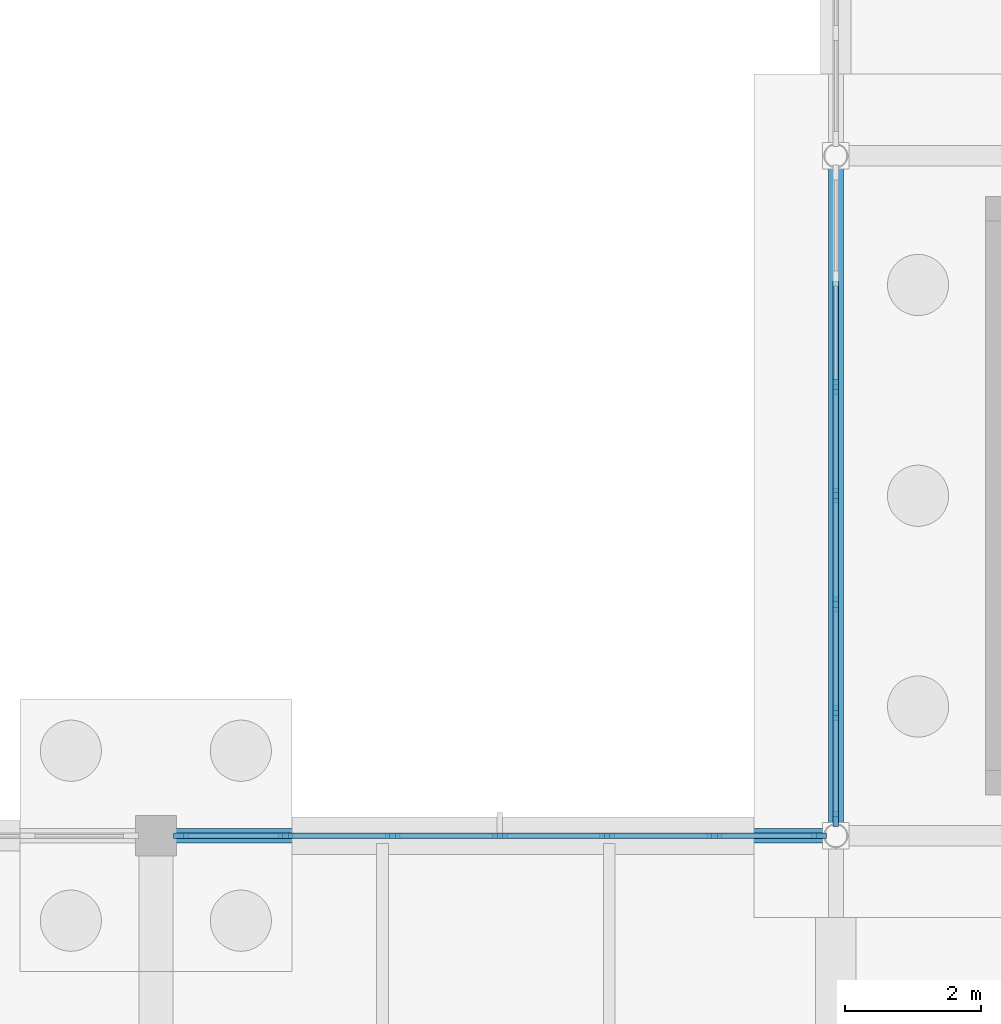
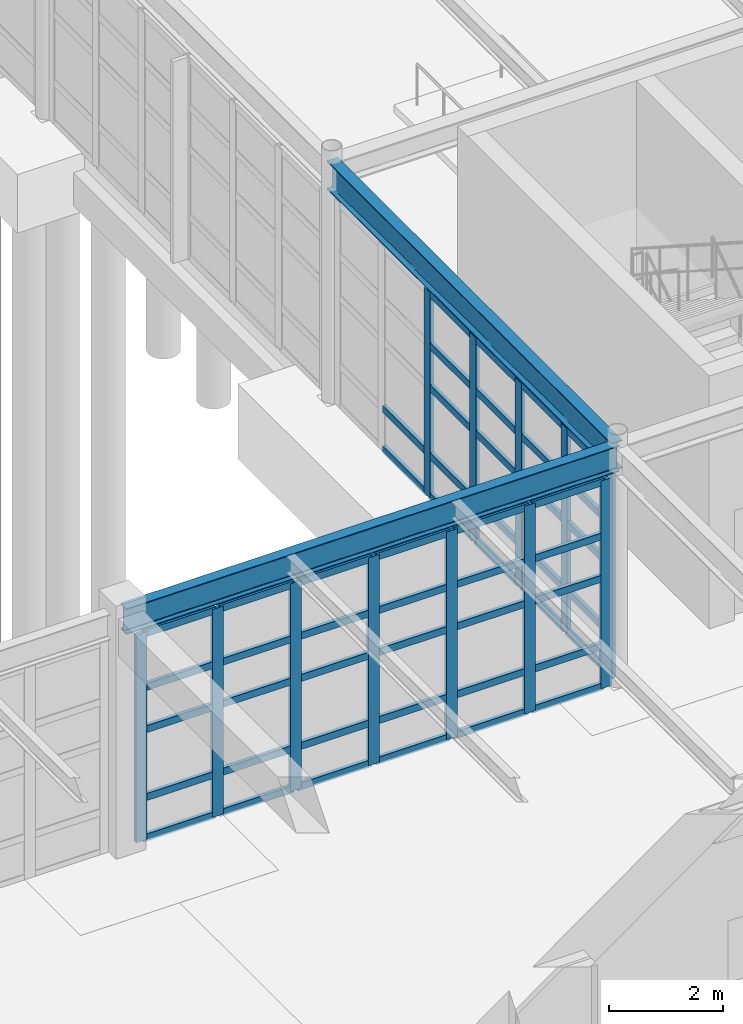
# One storey, part 51 of 145: 64 members, 2 beams, 2 elements without a shape of their own.
"""IFC4 building model written with IfcOpenShell, lengths in metres."""

from ifc_helpers import new_model, si_unit, direction, frame, origin, origin_2d, place, context, subcontext, project, spatial, rectangle, i_section, extrude, material, layer, layer_set, material_profile, profile_set, type_object, element, aggregate, save


model = new_model("IFC4")

# Units and contexts
model_context = context("Model", 3, precision=1e-05, world=origin(), true_north=direction((0.0, 1.0)))
body_context = subcontext(model_context, "Body", "Model", "MODEL_VIEW")
ifc_project = project(units=[si_unit("LENGTHUNIT", "METRE"), si_unit("AREAUNIT", "SQUARE_METRE"), si_unit("VOLUMEUNIT", "CUBIC_METRE"), si_unit("PLANEANGLEUNIT", "RADIAN"), si_unit("MASSUNIT", "GRAM", prefix="KILO"), si_unit("THERMODYNAMICTEMPERATUREUNIT", "KELVIN"), si_unit("POWERUNIT", "WATT")], contexts=[model_context])

# Site, building, storey
site_placement = place(None, origin())
site = spatial("IfcSite", under=ifc_project, at=site_placement, CompositionType="ELEMENT")
building_placement = place(site_placement, origin())
building = spatial("IfcBuilding", under=site, at=building_placement, Name="Korenveer Ferry Terminal", CompositionType="ELEMENT")
storey_placement = place(building_placement, origin())
storey = spatial("IfcBuildingStorey", under=building, at=storey_placement, Name="L00", CompositionType="ELEMENT", Elevation=0.0)

# Curtain wall, members
ifc_material_1 = material(Name="Unitised bronze-and-glass curtain wall", Category="glass")
ifc_layer_1 = layer(ifc_material_1, 0.219970703125)
ifc_layer_set_1 = layer_set([ifc_layer_1], Name="Unitised bronze-and-glass curtain wall")
curtain_wall_type_1 = type_object("IfcCurtainWallType", Name="ENV-CW-11", PredefinedType="USERDEFINED", material=ifc_layer_set_1)
curtain_wall_1_placement = place(storey_placement, frame((30.330078125, 80.0, 0.0)))
curtain_wall_1 = element("IfcCurtainWall", 1, at=curtain_wall_1_placement, inside=storey, type_object=curtain_wall_type_1, Name="Lancet curtain wall CWX-L00-X30-40-Y80-80", ObjectType="UNITISED CURTAIN WALL", PredefinedType="USERDEFINED")
ifc_material_2 = material(Name="Anodised bronze aluminium", Category="aluminium")
ifc_material_profile_1 = material_profile(ifc_material_2, rectangle(XDim=0.074951171875, YDim=0.219970703125, at=origin_2d()), Name="ALU 75x220")
ifc_profile_set_1 = profile_set([ifc_material_profile_1], Name="Anodised bronze aluminium")
member_type_1 = type_object("IfcMemberType", Name="ENV-CWM-75X220", PredefinedType="MULLION", material=ifc_profile_set_1)
member_1_placement = place(storey_placement, frame((30.367431640625, 80.0, 0.0), z_axis=(0.0, 0.0, 1.0), x_axis=(0.0, 1.0, 0.0)))
member_1 = element("IfcMember", 2, at=member_1_placement, type_object=member_type_1, Name="CW-11 mullion 1", PredefinedType="MULLION", context=body_context, shape_type="SweptSolid", body=[
    extrude(rectangle(XDim=0.074951171875, YDim=0.219970703125, at=origin_2d()), origin(), (0.0, 0.0, 1.0), 4.43994140625),
])
member_2_placement = place(storey_placement, frame((31.906982421875, 80.0, 0.0), z_axis=(0.0, 0.0, 1.0), x_axis=(0.0, 1.0, 0.0)))
member_2 = element("IfcMember", 3, at=member_2_placement, type_object=member_type_1, Name="CW-11 mullion 2", PredefinedType="MULLION", context=body_context, shape_type="SweptSolid", body=[
    extrude(rectangle(XDim=0.074951171875, YDim=0.219970703125, at=origin_2d()), origin(), (0.0, 0.0, 1.0), 4.43994140625),
])
member_3_placement = place(storey_placement, frame((33.484130859375, 80.0, 0.0), z_axis=(0.0, 0.0, 1.0), x_axis=(0.0, 1.0, 0.0)))
member_3 = element("IfcMember", 4, at=member_3_placement, type_object=member_type_1, Name="CW-11 mullion 3", PredefinedType="MULLION", context=body_context, shape_type="SweptSolid", body=[
    extrude(rectangle(XDim=0.074951171875, YDim=0.219970703125, at=origin_2d()), origin(), (0.0, 0.0, 1.0), 4.43994140625),
])
member_4_placement = place(storey_placement, frame((35.06103515625, 80.0, 0.0), z_axis=(0.0, 0.0, 1.0), x_axis=(0.0, 1.0, 0.0)))
member_4 = element("IfcMember", 5, at=member_4_placement, type_object=member_type_1, Name="CW-11 mullion 4", PredefinedType="MULLION", context=body_context, shape_type="SweptSolid", body=[
    extrude(rectangle(XDim=0.074951171875, YDim=0.219970703125, at=origin_2d()), origin(), (0.0, 0.0, 1.0), 4.43994140625),
])
member_5_placement = place(storey_placement, frame((36.63818359375, 80.0, 0.0), z_axis=(0.0, 0.0, 1.0), x_axis=(0.0, 1.0, 0.0)))
member_5 = element("IfcMember", 6, at=member_5_placement, type_object=member_type_1, Name="CW-11 mullion 5", PredefinedType="MULLION", context=body_context, shape_type="SweptSolid", body=[
    extrude(rectangle(XDim=0.074951171875, YDim=0.219970703125, at=origin_2d()), origin(), (0.0, 0.0, 1.0), 4.43994140625),
])
member_6_placement = place(storey_placement, frame((38.215087890625, 80.0, 0.0), z_axis=(0.0, 0.0, 1.0), x_axis=(0.0, 1.0, 0.0)))
member_6 = element("IfcMember", 7, at=member_6_placement, type_object=member_type_1, Name="CW-11 mullion 6", PredefinedType="MULLION", context=body_context, shape_type="SweptSolid", body=[
    extrude(rectangle(XDim=0.074951171875, YDim=0.219970703125, at=origin_2d()), origin(), (0.0, 0.0, 1.0), 4.43994140625),
])
member_7_placement = place(storey_placement, frame((39.754638671875, 80.0, 0.0), z_axis=(0.0, 0.0, 1.0), x_axis=(0.0, 1.0, 0.0)))
member_7 = element("IfcMember", 8, at=member_7_placement, type_object=member_type_1, Name="CW-11 mullion 7", PredefinedType="MULLION", context=body_context, shape_type="SweptSolid", body=[
    extrude(rectangle(XDim=0.074951171875, YDim=0.219970703125, at=origin_2d()), origin(), (0.0, 0.0, 1.0), 4.43994140625),
])

ifc_layer_2 = layer(ifc_material_1, 0.219970703125)
ifc_layer_set_2 = layer_set([ifc_layer_2], Name="Unitised bronze-and-glass curtain wall")
curtain_wall_type_2 = type_object("IfcCurtainWallType", Name="ENV-CW-21", PredefinedType="USERDEFINED", material=ifc_layer_set_2)
curtain_wall_2_placement = place(storey_placement, frame((40.0, 80.207763671875, 0.0)))
curtain_wall_2 = element("IfcCurtainWall", 9, at=curtain_wall_2_placement, inside=storey, type_object=curtain_wall_type_2, Name="Lancet curtain wall CWX-L00-X40-40-Y80-90", ObjectType="UNITISED CURTAIN WALL", PredefinedType="USERDEFINED")
member_8_placement = place(storey_placement, frame((40.0, 80.245361328125, 0.0), z_axis=(0.0, 0.0, 1.0), x_axis=(-1.0, 0.0, 0.0)))
member_8 = element("IfcMember", 10, at=member_8_placement, type_object=member_type_1, Name="CW-21 mullion 1", PredefinedType="MULLION", context=body_context, shape_type="SweptSolid", body=[
    extrude(rectangle(XDim=0.074951171875, YDim=0.219970703125, at=origin_2d()), origin(), (0.0, 0.0, 1.0), 4.389892578125),
])
member_9_placement = place(storey_placement, frame((40.0, 81.80517578125, 0.0), z_axis=(0.0, 0.0, 1.0), x_axis=(-1.0, 0.0, 0.0)))
member_9 = element("IfcMember", 11, at=member_9_placement, type_object=member_type_1, Name="CW-21 mullion 2", PredefinedType="MULLION", context=body_context, shape_type="SweptSolid", body=[
    extrude(rectangle(XDim=0.074951171875, YDim=0.219970703125, at=origin_2d()), origin(), (0.0, 0.0, 1.0), 4.389892578125),
])
member_10_placement = place(storey_placement, frame((40.0, 83.402587890625, 0.0), z_axis=(0.0, 0.0, 1.0), x_axis=(-1.0, 0.0, 0.0)))
member_10 = element("IfcMember", 12, at=member_10_placement, type_object=member_type_1, Name="CW-21 mullion 3", PredefinedType="MULLION", context=body_context, shape_type="SweptSolid", body=[
    extrude(rectangle(XDim=0.074951171875, YDim=0.219970703125, at=origin_2d()), origin(), (0.0, 0.0, 1.0), 4.389892578125),
])
member_11_placement = place(storey_placement, frame((40.0, 85.0, 0.0), z_axis=(0.0, 0.0, 1.0), x_axis=(-1.0, 0.0, 0.0)))
member_11 = element("IfcMember", 13, at=member_11_placement, type_object=member_type_1, Name="CW-21 mullion 4", PredefinedType="MULLION", context=body_context, shape_type="SweptSolid", body=[
    extrude(rectangle(XDim=0.074951171875, YDim=0.219970703125, at=origin_2d()), origin(), (0.0, 0.0, 1.0), 4.389892578125),
])
member_12_placement = place(storey_placement, frame((40.0, 86.597412109375, 0.0), z_axis=(0.0, 0.0, 1.0), x_axis=(-1.0, 0.0, 0.0)))
member_12 = element("IfcMember", 14, at=member_12_placement, type_object=member_type_1, Name="CW-21 mullion 5", PredefinedType="MULLION", context=body_context, shape_type="SweptSolid", body=[
    extrude(rectangle(XDim=0.074951171875, YDim=0.219970703125, at=origin_2d()), origin(), (0.0, 0.0, 1.0), 4.389892578125),
])

# Member
ifc_material_profile_2 = material_profile(ifc_material_2, rectangle(XDim=0.074951171875, YDim=0.14990234375, at=origin_2d()), Name="ALU 75x150")
ifc_profile_set_2 = profile_set([ifc_material_profile_2], Name="Anodised bronze aluminium")
member_type_2 = type_object("IfcMemberType", Name="ENV-CWT-75X150", PredefinedType="USERDEFINED", material=ifc_profile_set_2)
member_13_placement = place(storey_placement, frame((30.405029296875, 80.0, 0.03759765625), z_axis=(1.0, 0.0, 0.0), x_axis=(0.0, 1.0, 0.0)))
member_13 = element("IfcMember", 15, at=member_13_placement, type_object=member_type_2, Name="CW-11 transom 1.1", ObjectType="TRANSOM", PredefinedType="USERDEFINED", context=body_context, shape_type="SweptSolid", body=[
    extrude(rectangle(XDim=0.074951171875, YDim=0.14990234375, at=origin_2d()), origin(), (0.0, 0.0, 1.0), 1.464599609375),
])

member_14_placement = place(storey_placement, frame((30.405029296875, 80.0, 0.89990234375), z_axis=(1.0, 0.0, 0.0), x_axis=(0.0, 1.0, 0.0)))
member_14 = element("IfcMember", 16, at=member_14_placement, type_object=member_type_2, Name="CW-11 transom 1.2", ObjectType="TRANSOM", PredefinedType="USERDEFINED", context=body_context, shape_type="SweptSolid", body=[
    extrude(rectangle(XDim=0.074951171875, YDim=0.14990234375, at=origin_2d()), origin(), (0.0, 0.0, 1.0), 1.464599609375),
])

member_15_placement = place(storey_placement, frame((30.405029296875, 80.0, 2.35009765625), z_axis=(1.0, 0.0, 0.0), x_axis=(0.0, 1.0, 0.0)))
member_15 = element("IfcMember", 17, at=member_15_placement, type_object=member_type_2, Name="CW-11 transom 1.3", ObjectType="TRANSOM", PredefinedType="USERDEFINED", context=body_context, shape_type="SweptSolid", body=[
    extrude(rectangle(XDim=0.074951171875, YDim=0.14990234375, at=origin_2d()), origin(), (0.0, 0.0, 1.0), 1.464599609375),
])

member_16_placement = place(storey_placement, frame((30.405029296875, 80.0, 3.25), z_axis=(1.0, 0.0, 0.0), x_axis=(0.0, 1.0, 0.0)))
member_16 = element("IfcMember", 18, at=member_16_placement, type_object=member_type_2, Name="CW-11 transom 1.4", ObjectType="TRANSOM", PredefinedType="USERDEFINED", context=body_context, shape_type="SweptSolid", body=[
    extrude(rectangle(XDim=0.074951171875, YDim=0.14990234375, at=origin_2d()), origin(), (0.0, 0.0, 1.0), 1.464599609375),
])

member_17_placement = place(storey_placement, frame((30.405029296875, 80.0, 4.402587890625), z_axis=(1.0, 0.0, 0.0), x_axis=(0.0, 1.0, 0.0)))
member_17 = element("IfcMember", 19, at=member_17_placement, type_object=member_type_2, Name="CW-11 transom 1.5", ObjectType="TRANSOM", PredefinedType="USERDEFINED", context=body_context, shape_type="SweptSolid", body=[
    extrude(rectangle(XDim=0.074951171875, YDim=0.14990234375, at=origin_2d()), origin(), (0.0, 0.0, 1.0), 1.464599609375),
])

member_18_placement = place(storey_placement, frame((31.944580078125, 80.0, 0.03759765625), z_axis=(1.0, 0.0, 0.0), x_axis=(0.0, 1.0, 0.0)))
member_18 = element("IfcMember", 20, at=member_18_placement, type_object=member_type_2, Name="CW-11 transom 2.1", ObjectType="TRANSOM", PredefinedType="USERDEFINED", context=body_context, shape_type="SweptSolid", body=[
    extrude(rectangle(XDim=0.074951171875, YDim=0.14990234375, at=origin_2d()), origin(), (0.0, 0.0, 1.0), 1.501953125),
])

member_19_placement = place(storey_placement, frame((31.944580078125, 80.0, 0.89990234375), z_axis=(1.0, 0.0, 0.0), x_axis=(0.0, 1.0, 0.0)))
member_19 = element("IfcMember", 21, at=member_19_placement, type_object=member_type_2, Name="CW-11 transom 2.2", ObjectType="TRANSOM", PredefinedType="USERDEFINED", context=body_context, shape_type="SweptSolid", body=[
    extrude(rectangle(XDim=0.074951171875, YDim=0.14990234375, at=origin_2d()), origin(), (0.0, 0.0, 1.0), 1.501953125),
])

member_20_placement = place(storey_placement, frame((31.944580078125, 80.0, 2.35009765625), z_axis=(1.0, 0.0, 0.0), x_axis=(0.0, 1.0, 0.0)))
member_20 = element("IfcMember", 22, at=member_20_placement, type_object=member_type_2, Name="CW-11 transom 2.3", ObjectType="TRANSOM", PredefinedType="USERDEFINED", context=body_context, shape_type="SweptSolid", body=[
    extrude(rectangle(XDim=0.074951171875, YDim=0.14990234375, at=origin_2d()), origin(), (0.0, 0.0, 1.0), 1.501953125),
])

member_21_placement = place(storey_placement, frame((31.944580078125, 80.0, 3.25), z_axis=(1.0, 0.0, 0.0), x_axis=(0.0, 1.0, 0.0)))
member_21 = element("IfcMember", 23, at=member_21_placement, type_object=member_type_2, Name="CW-11 transom 2.4", ObjectType="TRANSOM", PredefinedType="USERDEFINED", context=body_context, shape_type="SweptSolid", body=[
    extrude(rectangle(XDim=0.074951171875, YDim=0.14990234375, at=origin_2d()), origin(), (0.0, 0.0, 1.0), 1.501953125),
])

member_22_placement = place(storey_placement, frame((31.944580078125, 80.0, 4.402587890625), z_axis=(1.0, 0.0, 0.0), x_axis=(0.0, 1.0, 0.0)))
member_22 = element("IfcMember", 24, at=member_22_placement, type_object=member_type_2, Name="CW-11 transom 2.5", ObjectType="TRANSOM", PredefinedType="USERDEFINED", context=body_context, shape_type="SweptSolid", body=[
    extrude(rectangle(XDim=0.074951171875, YDim=0.14990234375, at=origin_2d()), origin(), (0.0, 0.0, 1.0), 1.501953125),
])

member_23_placement = place(storey_placement, frame((33.521484375, 80.0, 0.03759765625), z_axis=(1.0, 0.0, 0.0), x_axis=(0.0, 1.0, 0.0)))
member_23 = element("IfcMember", 25, at=member_23_placement, type_object=member_type_2, Name="CW-11 transom 3.1", ObjectType="TRANSOM", PredefinedType="USERDEFINED", context=body_context, shape_type="SweptSolid", body=[
    extrude(rectangle(XDim=0.074951171875, YDim=0.14990234375, at=origin_2d()), origin(), (0.0, 0.0, 1.0), 1.502197265625),
])

member_24_placement = place(storey_placement, frame((33.521484375, 80.0, 0.89990234375), z_axis=(1.0, 0.0, 0.0), x_axis=(0.0, 1.0, 0.0)))
member_24 = element("IfcMember", 26, at=member_24_placement, type_object=member_type_2, Name="CW-11 transom 3.2", ObjectType="TRANSOM", PredefinedType="USERDEFINED", context=body_context, shape_type="SweptSolid", body=[
    extrude(rectangle(XDim=0.074951171875, YDim=0.14990234375, at=origin_2d()), origin(), (0.0, 0.0, 1.0), 1.502197265625),
])

member_25_placement = place(storey_placement, frame((33.521484375, 80.0, 2.35009765625), z_axis=(1.0, 0.0, 0.0), x_axis=(0.0, 1.0, 0.0)))
member_25 = element("IfcMember", 27, at=member_25_placement, type_object=member_type_2, Name="CW-11 transom 3.3", ObjectType="TRANSOM", PredefinedType="USERDEFINED", context=body_context, shape_type="SweptSolid", body=[
    extrude(rectangle(XDim=0.074951171875, YDim=0.14990234375, at=origin_2d()), origin(), (0.0, 0.0, 1.0), 1.502197265625),
])

member_26_placement = place(storey_placement, frame((33.521484375, 80.0, 3.25), z_axis=(1.0, 0.0, 0.0), x_axis=(0.0, 1.0, 0.0)))
member_26 = element("IfcMember", 28, at=member_26_placement, type_object=member_type_2, Name="CW-11 transom 3.4", ObjectType="TRANSOM", PredefinedType="USERDEFINED", context=body_context, shape_type="SweptSolid", body=[
    extrude(rectangle(XDim=0.074951171875, YDim=0.14990234375, at=origin_2d()), origin(), (0.0, 0.0, 1.0), 1.502197265625),
])

member_27_placement = place(storey_placement, frame((33.521484375, 80.0, 4.402587890625), z_axis=(1.0, 0.0, 0.0), x_axis=(0.0, 1.0, 0.0)))
member_27 = element("IfcMember", 29, at=member_27_placement, type_object=member_type_2, Name="CW-11 transom 3.5", ObjectType="TRANSOM", PredefinedType="USERDEFINED", context=body_context, shape_type="SweptSolid", body=[
    extrude(rectangle(XDim=0.074951171875, YDim=0.14990234375, at=origin_2d()), origin(), (0.0, 0.0, 1.0), 1.502197265625),
])

member_28_placement = place(storey_placement, frame((35.0986328125, 80.0, 0.03759765625), z_axis=(1.0, 0.0, 0.0), x_axis=(0.0, 1.0, 0.0)))
member_28 = element("IfcMember", 30, at=member_28_placement, type_object=member_type_2, Name="CW-11 transom 4.1", ObjectType="TRANSOM", PredefinedType="USERDEFINED", context=body_context, shape_type="SweptSolid", body=[
    extrude(rectangle(XDim=0.074951171875, YDim=0.14990234375, at=origin_2d()), origin(), (0.0, 0.0, 1.0), 1.501953125),
])

member_29_placement = place(storey_placement, frame((35.0986328125, 80.0, 0.89990234375), z_axis=(1.0, 0.0, 0.0), x_axis=(0.0, 1.0, 0.0)))
member_29 = element("IfcMember", 31, at=member_29_placement, type_object=member_type_2, Name="CW-11 transom 4.2", ObjectType="TRANSOM", PredefinedType="USERDEFINED", context=body_context, shape_type="SweptSolid", body=[
    extrude(rectangle(XDim=0.074951171875, YDim=0.14990234375, at=origin_2d()), origin(), (0.0, 0.0, 1.0), 1.501953125),
])

member_30_placement = place(storey_placement, frame((35.0986328125, 80.0, 2.35009765625), z_axis=(1.0, 0.0, 0.0), x_axis=(0.0, 1.0, 0.0)))
member_30 = element("IfcMember", 32, at=member_30_placement, type_object=member_type_2, Name="CW-11 transom 4.3", ObjectType="TRANSOM", PredefinedType="USERDEFINED", context=body_context, shape_type="SweptSolid", body=[
    extrude(rectangle(XDim=0.074951171875, YDim=0.14990234375, at=origin_2d()), origin(), (0.0, 0.0, 1.0), 1.501953125),
])

member_31_placement = place(storey_placement, frame((35.0986328125, 80.0, 3.25), z_axis=(1.0, 0.0, 0.0), x_axis=(0.0, 1.0, 0.0)))
member_31 = element("IfcMember", 33, at=member_31_placement, type_object=member_type_2, Name="CW-11 transom 4.4", ObjectType="TRANSOM", PredefinedType="USERDEFINED", context=body_context, shape_type="SweptSolid", body=[
    extrude(rectangle(XDim=0.074951171875, YDim=0.14990234375, at=origin_2d()), origin(), (0.0, 0.0, 1.0), 1.501953125),
])

member_32_placement = place(storey_placement, frame((35.0986328125, 80.0, 4.402587890625), z_axis=(1.0, 0.0, 0.0), x_axis=(0.0, 1.0, 0.0)))
member_32 = element("IfcMember", 34, at=member_32_placement, type_object=member_type_2, Name="CW-11 transom 4.5", ObjectType="TRANSOM", PredefinedType="USERDEFINED", context=body_context, shape_type="SweptSolid", body=[
    extrude(rectangle(XDim=0.074951171875, YDim=0.14990234375, at=origin_2d()), origin(), (0.0, 0.0, 1.0), 1.501953125),
])

member_33_placement = place(storey_placement, frame((36.675537109375, 80.0, 0.03759765625), z_axis=(1.0, 0.0, 0.0), x_axis=(0.0, 1.0, 0.0)))
member_33 = element("IfcMember", 35, at=member_33_placement, type_object=member_type_2, Name="CW-11 transom 5.1", ObjectType="TRANSOM", PredefinedType="USERDEFINED", context=body_context, shape_type="SweptSolid", body=[
    extrude(rectangle(XDim=0.074951171875, YDim=0.14990234375, at=origin_2d()), origin(), (0.0, 0.0, 1.0), 1.502197265625),
])

member_34_placement = place(storey_placement, frame((36.675537109375, 80.0, 0.89990234375), z_axis=(1.0, 0.0, 0.0), x_axis=(0.0, 1.0, 0.0)))
member_34 = element("IfcMember", 36, at=member_34_placement, type_object=member_type_2, Name="CW-11 transom 5.2", ObjectType="TRANSOM", PredefinedType="USERDEFINED", context=body_context, shape_type="SweptSolid", body=[
    extrude(rectangle(XDim=0.074951171875, YDim=0.14990234375, at=origin_2d()), origin(), (0.0, 0.0, 1.0), 1.502197265625),
])

member_35_placement = place(storey_placement, frame((36.675537109375, 80.0, 2.35009765625), z_axis=(1.0, 0.0, 0.0), x_axis=(0.0, 1.0, 0.0)))
member_35 = element("IfcMember", 37, at=member_35_placement, type_object=member_type_2, Name="CW-11 transom 5.3", ObjectType="TRANSOM", PredefinedType="USERDEFINED", context=body_context, shape_type="SweptSolid", body=[
    extrude(rectangle(XDim=0.074951171875, YDim=0.14990234375, at=origin_2d()), origin(), (0.0, 0.0, 1.0), 1.502197265625),
])

member_36_placement = place(storey_placement, frame((36.675537109375, 80.0, 3.25), z_axis=(1.0, 0.0, 0.0), x_axis=(0.0, 1.0, 0.0)))
member_36 = element("IfcMember", 38, at=member_36_placement, type_object=member_type_2, Name="CW-11 transom 5.4", ObjectType="TRANSOM", PredefinedType="USERDEFINED", context=body_context, shape_type="SweptSolid", body=[
    extrude(rectangle(XDim=0.074951171875, YDim=0.14990234375, at=origin_2d()), origin(), (0.0, 0.0, 1.0), 1.502197265625),
])

member_37_placement = place(storey_placement, frame((36.675537109375, 80.0, 4.402587890625), z_axis=(1.0, 0.0, 0.0), x_axis=(0.0, 1.0, 0.0)))
member_37 = element("IfcMember", 39, at=member_37_placement, type_object=member_type_2, Name="CW-11 transom 5.5", ObjectType="TRANSOM", PredefinedType="USERDEFINED", context=body_context, shape_type="SweptSolid", body=[
    extrude(rectangle(XDim=0.074951171875, YDim=0.14990234375, at=origin_2d()), origin(), (0.0, 0.0, 1.0), 1.502197265625),
])

member_38_placement = place(storey_placement, frame((38.252685546875, 80.0, 0.03759765625), z_axis=(1.0, 0.0, 0.0), x_axis=(0.0, 1.0, 0.0)))
member_38 = element("IfcMember", 40, at=member_38_placement, type_object=member_type_2, Name="CW-11 transom 6.1", ObjectType="TRANSOM", PredefinedType="USERDEFINED", context=body_context, shape_type="SweptSolid", body=[
    extrude(rectangle(XDim=0.074951171875, YDim=0.14990234375, at=origin_2d()), origin(), (0.0, 0.0, 1.0), 1.464599609375),
])

member_39_placement = place(storey_placement, frame((38.252685546875, 80.0, 0.89990234375), z_axis=(1.0, 0.0, 0.0), x_axis=(0.0, 1.0, 0.0)))
member_39 = element("IfcMember", 41, at=member_39_placement, type_object=member_type_2, Name="CW-11 transom 6.2", ObjectType="TRANSOM", PredefinedType="USERDEFINED", context=body_context, shape_type="SweptSolid", body=[
    extrude(rectangle(XDim=0.074951171875, YDim=0.14990234375, at=origin_2d()), origin(), (0.0, 0.0, 1.0), 1.464599609375),
])

member_40_placement = place(storey_placement, frame((38.252685546875, 80.0, 2.35009765625), z_axis=(1.0, 0.0, 0.0), x_axis=(0.0, 1.0, 0.0)))
member_40 = element("IfcMember", 42, at=member_40_placement, type_object=member_type_2, Name="CW-11 transom 6.3", ObjectType="TRANSOM", PredefinedType="USERDEFINED", context=body_context, shape_type="SweptSolid", body=[
    extrude(rectangle(XDim=0.074951171875, YDim=0.14990234375, at=origin_2d()), origin(), (0.0, 0.0, 1.0), 1.464599609375),
])

member_41_placement = place(storey_placement, frame((38.252685546875, 80.0, 3.25), z_axis=(1.0, 0.0, 0.0), x_axis=(0.0, 1.0, 0.0)))
member_41 = element("IfcMember", 43, at=member_41_placement, type_object=member_type_2, Name="CW-11 transom 6.4", ObjectType="TRANSOM", PredefinedType="USERDEFINED", context=body_context, shape_type="SweptSolid", body=[
    extrude(rectangle(XDim=0.074951171875, YDim=0.14990234375, at=origin_2d()), origin(), (0.0, 0.0, 1.0), 1.464599609375),
])

member_42_placement = place(storey_placement, frame((38.252685546875, 80.0, 4.402587890625), z_axis=(1.0, 0.0, 0.0), x_axis=(0.0, 1.0, 0.0)))
member_42 = element("IfcMember", 44, at=member_42_placement, type_object=member_type_2, Name="CW-11 transom 6.5", ObjectType="TRANSOM", PredefinedType="USERDEFINED", context=body_context, shape_type="SweptSolid", body=[
    extrude(rectangle(XDim=0.074951171875, YDim=0.14990234375, at=origin_2d()), origin(), (0.0, 0.0, 1.0), 1.464599609375),
])

aggregate(curtain_wall_1, [member_1, member_2, member_3, member_4, member_5, member_6, member_7, member_13, member_14, member_15, member_16, member_17, member_18, member_19, member_20, member_21, member_22, member_23, member_24, member_25, member_26, member_27, member_28, member_29, member_30, member_31, member_32, member_33, member_34, member_35, member_36, member_37, member_38, member_39, member_40, member_41, member_42])

member_43_placement = place(storey_placement, frame((40.0, 80.28271484375, 0.03759765625), z_axis=(0.0, 1.0, 0.0), x_axis=(-1.0, 0.0, 0.0)))
member_43 = element("IfcMember", 45, at=member_43_placement, type_object=member_type_2, Name="CW-21 transom 1.1", ObjectType="TRANSOM", PredefinedType="USERDEFINED", context=body_context, shape_type="SweptSolid", body=[
    extrude(rectangle(XDim=0.074951171875, YDim=0.14990234375, at=origin_2d()), origin(), (0.0, 0.0, 1.0), 1.48486328125),
])

member_44_placement = place(storey_placement, frame((40.0, 80.28271484375, 0.89990234375), z_axis=(0.0, 1.0, 0.0), x_axis=(-1.0, 0.0, 0.0)))
member_44 = element("IfcMember", 46, at=member_44_placement, type_object=member_type_2, Name="CW-21 transom 1.2", ObjectType="TRANSOM", PredefinedType="USERDEFINED", context=body_context, shape_type="SweptSolid", body=[
    extrude(rectangle(XDim=0.074951171875, YDim=0.14990234375, at=origin_2d()), origin(), (0.0, 0.0, 1.0), 1.48486328125),
])

member_45_placement = place(storey_placement, frame((40.0, 80.28271484375, 2.35009765625), z_axis=(0.0, 1.0, 0.0), x_axis=(-1.0, 0.0, 0.0)))
member_45 = element("IfcMember", 47, at=member_45_placement, type_object=member_type_2, Name="CW-21 transom 1.3", ObjectType="TRANSOM", PredefinedType="USERDEFINED", context=body_context, shape_type="SweptSolid", body=[
    extrude(rectangle(XDim=0.074951171875, YDim=0.14990234375, at=origin_2d()), origin(), (0.0, 0.0, 1.0), 1.48486328125),
])

member_46_placement = place(storey_placement, frame((40.0, 80.28271484375, 3.25), z_axis=(0.0, 1.0, 0.0), x_axis=(-1.0, 0.0, 0.0)))
member_46 = element("IfcMember", 48, at=member_46_placement, type_object=member_type_2, Name="CW-21 transom 1.4", ObjectType="TRANSOM", PredefinedType="USERDEFINED", context=body_context, shape_type="SweptSolid", body=[
    extrude(rectangle(XDim=0.074951171875, YDim=0.14990234375, at=origin_2d()), origin(), (0.0, 0.0, 1.0), 1.48486328125),
])

member_47_placement = place(storey_placement, frame((40.0, 80.28271484375, 4.3525390625), z_axis=(0.0, 1.0, 0.0), x_axis=(-1.0, 0.0, 0.0)))
member_47 = element("IfcMember", 49, at=member_47_placement, type_object=member_type_2, Name="CW-21 transom 1.5", ObjectType="TRANSOM", PredefinedType="USERDEFINED", context=body_context, shape_type="SweptSolid", body=[
    extrude(rectangle(XDim=0.074951171875, YDim=0.14990234375, at=origin_2d()), origin(), (0.0, 0.0, 1.0), 1.48486328125),
])

member_48_placement = place(storey_placement, frame((40.0, 81.8427734375, 0.03759765625), z_axis=(0.0, 1.0, 0.0), x_axis=(-1.0, 0.0, 0.0)))
member_48 = element("IfcMember", 50, at=member_48_placement, type_object=member_type_2, Name="CW-21 transom 2.1", ObjectType="TRANSOM", PredefinedType="USERDEFINED", context=body_context, shape_type="SweptSolid", body=[
    extrude(rectangle(XDim=0.074951171875, YDim=0.14990234375, at=origin_2d()), origin(), (0.0, 0.0, 1.0), 1.522216796875),
])

member_49_placement = place(storey_placement, frame((40.0, 81.8427734375, 0.89990234375), z_axis=(0.0, 1.0, 0.0), x_axis=(-1.0, 0.0, 0.0)))
member_49 = element("IfcMember", 51, at=member_49_placement, type_object=member_type_2, Name="CW-21 transom 2.2", ObjectType="TRANSOM", PredefinedType="USERDEFINED", context=body_context, shape_type="SweptSolid", body=[
    extrude(rectangle(XDim=0.074951171875, YDim=0.14990234375, at=origin_2d()), origin(), (0.0, 0.0, 1.0), 1.522216796875),
])

member_50_placement = place(storey_placement, frame((40.0, 81.8427734375, 2.35009765625), z_axis=(0.0, 1.0, 0.0), x_axis=(-1.0, 0.0, 0.0)))
member_50 = element("IfcMember", 52, at=member_50_placement, type_object=member_type_2, Name="CW-21 transom 2.3", ObjectType="TRANSOM", PredefinedType="USERDEFINED", context=body_context, shape_type="SweptSolid", body=[
    extrude(rectangle(XDim=0.074951171875, YDim=0.14990234375, at=origin_2d()), origin(), (0.0, 0.0, 1.0), 1.522216796875),
])

member_51_placement = place(storey_placement, frame((40.0, 81.8427734375, 3.25), z_axis=(0.0, 1.0, 0.0), x_axis=(-1.0, 0.0, 0.0)))
member_51 = element("IfcMember", 53, at=member_51_placement, type_object=member_type_2, Name="CW-21 transom 2.4", ObjectType="TRANSOM", PredefinedType="USERDEFINED", context=body_context, shape_type="SweptSolid", body=[
    extrude(rectangle(XDim=0.074951171875, YDim=0.14990234375, at=origin_2d()), origin(), (0.0, 0.0, 1.0), 1.522216796875),
])

member_52_placement = place(storey_placement, frame((40.0, 81.8427734375, 4.3525390625), z_axis=(0.0, 1.0, 0.0), x_axis=(-1.0, 0.0, 0.0)))
member_52 = element("IfcMember", 54, at=member_52_placement, type_object=member_type_2, Name="CW-21 transom 2.5", ObjectType="TRANSOM", PredefinedType="USERDEFINED", context=body_context, shape_type="SweptSolid", body=[
    extrude(rectangle(XDim=0.074951171875, YDim=0.14990234375, at=origin_2d()), origin(), (0.0, 0.0, 1.0), 1.522216796875),
])

member_53_placement = place(storey_placement, frame((40.0, 83.440185546875, 0.03759765625), z_axis=(0.0, 1.0, 0.0), x_axis=(-1.0, 0.0, 0.0)))
member_53 = element("IfcMember", 55, at=member_53_placement, type_object=member_type_2, Name="CW-21 transom 3.1", ObjectType="TRANSOM", PredefinedType="USERDEFINED", context=body_context, shape_type="SweptSolid", body=[
    extrude(rectangle(XDim=0.074951171875, YDim=0.14990234375, at=origin_2d()), origin(), (0.0, 0.0, 1.0), 1.522216796875),
])

member_54_placement = place(storey_placement, frame((40.0, 83.440185546875, 0.89990234375), z_axis=(0.0, 1.0, 0.0), x_axis=(-1.0, 0.0, 0.0)))
member_54 = element("IfcMember", 56, at=member_54_placement, type_object=member_type_2, Name="CW-21 transom 3.2", ObjectType="TRANSOM", PredefinedType="USERDEFINED", context=body_context, shape_type="SweptSolid", body=[
    extrude(rectangle(XDim=0.074951171875, YDim=0.14990234375, at=origin_2d()), origin(), (0.0, 0.0, 1.0), 1.522216796875),
])

member_55_placement = place(storey_placement, frame((40.0, 83.440185546875, 2.35009765625), z_axis=(0.0, 1.0, 0.0), x_axis=(-1.0, 0.0, 0.0)))
member_55 = element("IfcMember", 57, at=member_55_placement, type_object=member_type_2, Name="CW-21 transom 3.3", ObjectType="TRANSOM", PredefinedType="USERDEFINED", context=body_context, shape_type="SweptSolid", body=[
    extrude(rectangle(XDim=0.074951171875, YDim=0.14990234375, at=origin_2d()), origin(), (0.0, 0.0, 1.0), 1.522216796875),
])

member_56_placement = place(storey_placement, frame((40.0, 83.440185546875, 3.25), z_axis=(0.0, 1.0, 0.0), x_axis=(-1.0, 0.0, 0.0)))
member_56 = element("IfcMember", 58, at=member_56_placement, type_object=member_type_2, Name="CW-21 transom 3.4", ObjectType="TRANSOM", PredefinedType="USERDEFINED", context=body_context, shape_type="SweptSolid", body=[
    extrude(rectangle(XDim=0.074951171875, YDim=0.14990234375, at=origin_2d()), origin(), (0.0, 0.0, 1.0), 1.522216796875),
])

member_57_placement = place(storey_placement, frame((40.0, 83.440185546875, 4.3525390625), z_axis=(0.0, 1.0, 0.0), x_axis=(-1.0, 0.0, 0.0)))
member_57 = element("IfcMember", 59, at=member_57_placement, type_object=member_type_2, Name="CW-21 transom 3.5", ObjectType="TRANSOM", PredefinedType="USERDEFINED", context=body_context, shape_type="SweptSolid", body=[
    extrude(rectangle(XDim=0.074951171875, YDim=0.14990234375, at=origin_2d()), origin(), (0.0, 0.0, 1.0), 1.522216796875),
])

member_58_placement = place(storey_placement, frame((40.0, 85.03759765625, 0.03759765625), z_axis=(0.0, 1.0, 0.0), x_axis=(-1.0, 0.0, 0.0)))
member_58 = element("IfcMember", 60, at=member_58_placement, type_object=member_type_2, Name="CW-21 transom 4.1", ObjectType="TRANSOM", PredefinedType="USERDEFINED", context=body_context, shape_type="SweptSolid", body=[
    extrude(rectangle(XDim=0.074951171875, YDim=0.14990234375, at=origin_2d()), origin(), (0.0, 0.0, 1.0), 1.522216796875),
])

member_59_placement = place(storey_placement, frame((40.0, 85.03759765625, 0.89990234375), z_axis=(0.0, 1.0, 0.0), x_axis=(-1.0, 0.0, 0.0)))
member_59 = element("IfcMember", 61, at=member_59_placement, type_object=member_type_2, Name="CW-21 transom 4.2", ObjectType="TRANSOM", PredefinedType="USERDEFINED", context=body_context, shape_type="SweptSolid", body=[
    extrude(rectangle(XDim=0.074951171875, YDim=0.14990234375, at=origin_2d()), origin(), (0.0, 0.0, 1.0), 1.522216796875),
])

member_60_placement = place(storey_placement, frame((40.0, 85.03759765625, 2.35009765625), z_axis=(0.0, 1.0, 0.0), x_axis=(-1.0, 0.0, 0.0)))
member_60 = element("IfcMember", 62, at=member_60_placement, type_object=member_type_2, Name="CW-21 transom 4.3", ObjectType="TRANSOM", PredefinedType="USERDEFINED", context=body_context, shape_type="SweptSolid", body=[
    extrude(rectangle(XDim=0.074951171875, YDim=0.14990234375, at=origin_2d()), origin(), (0.0, 0.0, 1.0), 1.522216796875),
])

member_61_placement = place(storey_placement, frame((40.0, 85.03759765625, 3.25), z_axis=(0.0, 1.0, 0.0), x_axis=(-1.0, 0.0, 0.0)))
member_61 = element("IfcMember", 63, at=member_61_placement, type_object=member_type_2, Name="CW-21 transom 4.4", ObjectType="TRANSOM", PredefinedType="USERDEFINED", context=body_context, shape_type="SweptSolid", body=[
    extrude(rectangle(XDim=0.074951171875, YDim=0.14990234375, at=origin_2d()), origin(), (0.0, 0.0, 1.0), 1.522216796875),
])

member_62_placement = place(storey_placement, frame((40.0, 85.03759765625, 4.3525390625), z_axis=(0.0, 1.0, 0.0), x_axis=(-1.0, 0.0, 0.0)))
member_62 = element("IfcMember", 64, at=member_62_placement, type_object=member_type_2, Name="CW-21 transom 4.5", ObjectType="TRANSOM", PredefinedType="USERDEFINED", context=body_context, shape_type="SweptSolid", body=[
    extrude(rectangle(XDim=0.074951171875, YDim=0.14990234375, at=origin_2d()), origin(), (0.0, 0.0, 1.0), 1.522216796875),
])

member_63_placement = place(storey_placement, frame((40.0, 86.635009765625, 0.03759765625), z_axis=(0.0, 1.0, 0.0), x_axis=(-1.0, 0.0, 0.0)))
member_63 = element("IfcMember", 65, at=member_63_placement, type_object=member_type_2, Name="CW-21 transom 5.1", ObjectType="TRANSOM", PredefinedType="USERDEFINED", context=body_context, shape_type="SweptSolid", body=[
    extrude(rectangle(XDim=0.074951171875, YDim=0.14990234375, at=origin_2d()), origin(), (0.0, 0.0, 1.0), 1.522216796875),
])

member_64_placement = place(storey_placement, frame((40.0, 86.635009765625, 0.89990234375), z_axis=(0.0, 1.0, 0.0), x_axis=(-1.0, 0.0, 0.0)))
member_64 = element("IfcMember", 66, at=member_64_placement, type_object=member_type_2, Name="CW-21 transom 5.2", ObjectType="TRANSOM", PredefinedType="USERDEFINED", context=body_context, shape_type="SweptSolid", body=[
    extrude(rectangle(XDim=0.074951171875, YDim=0.14990234375, at=origin_2d()), origin(), (0.0, 0.0, 1.0), 1.522216796875),
])

aggregate(curtain_wall_2, [member_8, member_9, member_10, member_11, member_12, member_43, member_44, member_45, member_46, member_47, member_48, member_49, member_50, member_51, member_52, member_53, member_54, member_55, member_56, member_57, member_58, member_59, member_60, member_61, member_62, member_63, member_64])

# Beams
ifc_material_3 = material(Name="Steel S355", Category="steel")
ifc_material_profile_3 = material_profile(ifc_material_3, i_section(OverallWidth=0.2099609375, OverallDepth=0.550048828125, WebThickness=0.010986328125, FlangeThickness=0.01708984375, FilletRadius=0.02392578125, at=origin_2d()), Name="IPE 550")
ifc_profile_set_3 = profile_set([ifc_material_profile_3], Name="Steel S355")
beam_type_1 = type_object("IfcBeamType", Name="STR-BM-IPE550", PredefinedType="BEAM", material=ifc_profile_set_3)
beam_1_placement = place(storey_placement, frame((30.02001953125, 80.0, 4.844970703125), z_axis=(1.0, 0.0, 0.0), x_axis=(0.0, 1.0, 0.0)))
element("IfcBeam", 67, at=beam_1_placement, inside=storey, type_object=beam_type_1, Name="Primary X girder BMX-L01-X30-40-Y80", PredefinedType="BEAM", context=body_context, shape_type="SweptSolid", body=[
    extrude(i_section(OverallWidth=0.2099609375, OverallDepth=0.550048828125, WebThickness=0.010986328125, FlangeThickness=0.01708984375, FilletRadius=0.02392578125, at=origin_2d()), origin(), (0.0, 0.0, 1.0), 9.9599609375),
])
ifc_material_profile_4 = material_profile(ifc_material_3, i_section(OverallWidth=0.219970703125, OverallDepth=0.60009765625, WebThickness=0.011962890625, FlangeThickness=0.01904296875, FilletRadius=0.02392578125, at=origin_2d()), Name="IPE 600")
ifc_profile_set_4 = profile_set([ifc_material_profile_4], Name="Steel S355")
beam_type_2 = type_object("IfcBeamType", Name="STR-BM-IPE600", PredefinedType="BEAM", material=ifc_profile_set_4)
beam_2_placement = place(storey_placement, frame((40.0, 80.02001953125, 4.820068359375), z_axis=(0.0, 1.0, 0.0), x_axis=(-1.0, 0.0, 0.0)))
element("IfcBeam", 68, at=beam_2_placement, inside=storey, type_object=beam_type_2, Name="Primary Y girder BMY-L01-X40-Y80-90", PredefinedType="BEAM", context=body_context, shape_type="SweptSolid", body=[
    extrude(i_section(OverallWidth=0.219970703125, OverallDepth=0.60009765625, WebThickness=0.011962890625, FlangeThickness=0.01904296875, FilletRadius=0.02392578125, at=origin_2d()), origin(), (0.0, 0.0, 1.0), 9.9599609375),
])

save(model, "model.ifc")
